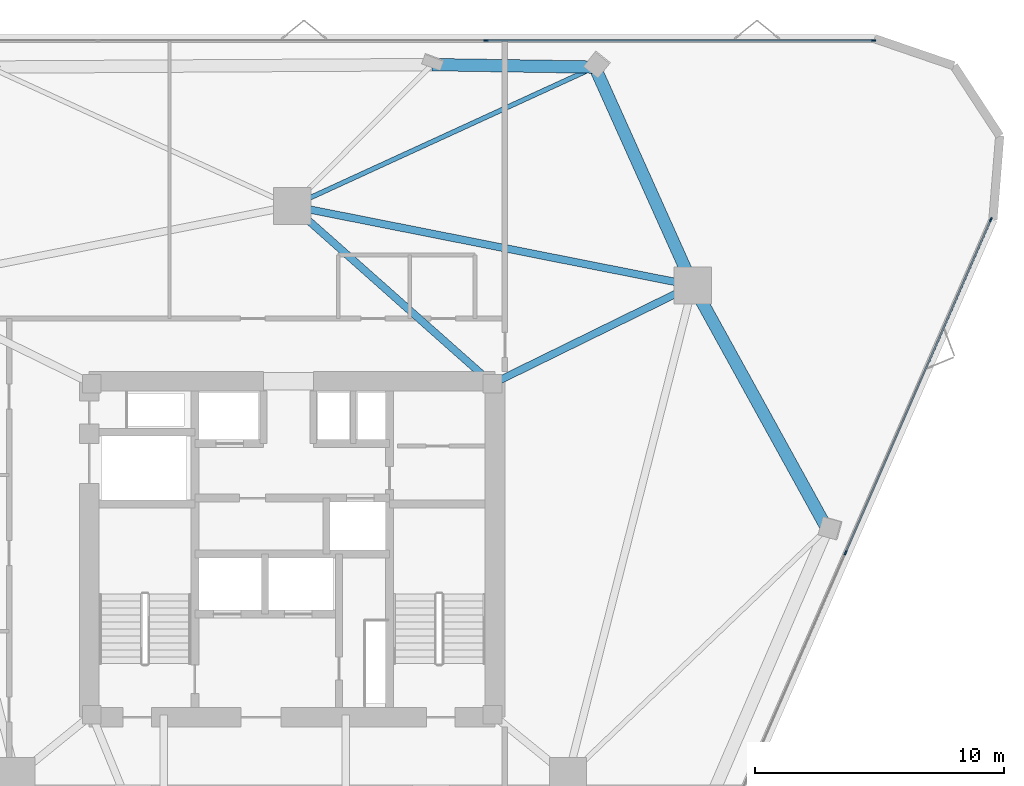
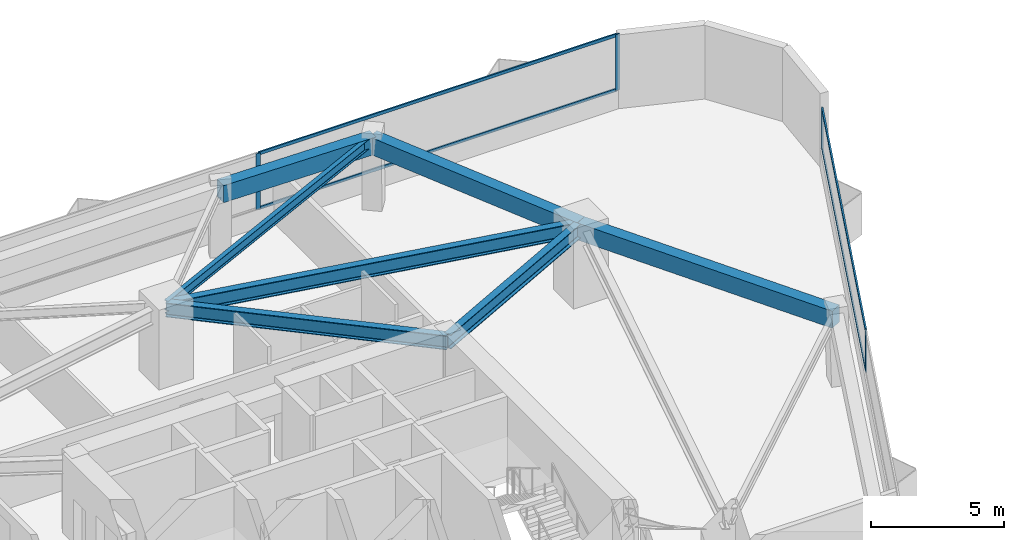
# One storey, part 7 of 13: 8 members, 7 beams, 2 elements without a shape of their own.
"""IFC4 building model written with IfcOpenShell, lengths in metres."""

from ifc_helpers import new_model, si_unit, direction, frame, origin, origin_2d, place, context, subcontext, project, spatial, rectangle, i_section, extrude, material, layer, layer_set, material_profile, profile_set, type_object, element, aggregate, save


model = new_model("IFC4")

# Units and contexts
model_context = context("Model", 3, precision=1e-05, world=origin(), true_north=direction((0.0, 1.0)))
body_context = subcontext(model_context, "Body", "Model", "MODEL_VIEW")
ifc_project = project(units=[si_unit("LENGTHUNIT", "METRE"), si_unit("AREAUNIT", "SQUARE_METRE"), si_unit("VOLUMEUNIT", "CUBIC_METRE"), si_unit("PLANEANGLEUNIT", "RADIAN"), si_unit("MASSUNIT", "GRAM", prefix="KILO")], contexts=[model_context])

# Site, building, storey
site_placement = place(None, origin())
site = spatial("IfcSite", under=ifc_project, at=site_placement, CompositionType="ELEMENT")
building_placement = place(site_placement, origin())
building = spatial("IfcBuilding", under=site, at=building_placement, Name="Talyreon Biosciences Tower", CompositionType="ELEMENT")
storey_placement = place(building_placement, frame((0.0, 0.0, 145.449951171875)))
storey = spatial("IfcBuildingStorey", under=building, at=storey_placement, Name="L38", CompositionType="ELEMENT", Elevation=145.449951171875)

# Curtain wall, members
ifc_material_1 = material(Name="Thermally broken aluminium and low-E glazing", Category="aluminium")
ifc_layer = layer(ifc_material_1, 0.18505859375)
ifc_layer_set = layer_set([ifc_layer], Name="Thermally broken aluminium and low-E glazing")
curtain_wall_type = type_object("IfcCurtainWallType", Name="CurtainWall_Zone3Bioprocess", PredefinedType="NOTDEFINED", material=ifc_layer_set)
curtain_wall_1_placement = place(storey_placement, origin())
curtain_wall_1 = element("IfcCurtainWall", 1, at=curtain_wall_1_placement, inside=storey, type_object=curtain_wall_type, Name="L38 Unitised Curtain Wall FCW-L38-04", PredefinedType="NOTDEFINED")
ifc_material_2 = material(Name="Anodised thermally broken aluminium", Category="aluminium")
ifc_material_profile_1 = material_profile(ifc_material_2, rectangle(XDim=0.06494140625, YDim=0.179931640625, at=origin_2d()), Name="ALUM MULLION 65x180")
ifc_profile_set_1 = profile_set([ifc_material_profile_1], Name="Anodised thermally broken aluminium")
member_type_1 = type_object("IfcMemberType", Name="CWMullion_65x180", PredefinedType="MULLION", material=ifc_profile_set_1)
member_1_placement = place(storey_placement, frame((73.79736328125, 88.439453125, 0.81005859375), z_axis=(0.0, 0.0, 1.0), x_axis=(0.0, 1.0, 0.0)))
member_1 = element("IfcMember", 2, at=member_1_placement, type_object=member_type_1, Name="CW4 mullion 3", PredefinedType="MULLION", context=body_context, shape_type="SweptSolid", body=[
    extrude(rectangle(XDim=0.06494140625, YDim=0.179931640625, at=origin_2d()), origin(), (0.0, 0.0, 1.0), 2.56494140625),
])
member_2_placement = place(storey_placement, frame((89.35986328125, 88.439453125, 0.81005859375), z_axis=(0.0, 0.0, 1.0), x_axis=(0.0, 1.0, 0.0)))
member_2 = element("IfcMember", 3, at=member_2_placement, type_object=member_type_1, Name="CW4 mullion 4", PredefinedType="MULLION", context=body_context, shape_type="SweptSolid", body=[
    extrude(rectangle(XDim=0.06494140625, YDim=0.179931640625, at=origin_2d()), origin(), (0.0, 0.0, 1.0), 2.56494140625),
])

curtain_wall_2_placement = place(storey_placement, origin())
curtain_wall_2 = element("IfcCurtainWall", 4, at=curtain_wall_2_placement, inside=storey, type_object=curtain_wall_type, Name="L38 Unitised Curtain Wall FCW-L38-08", PredefinedType="NOTDEFINED")
member_3_placement = place(storey_placement, frame((94.072509765625, 81.2431640625, 0.81005859375), z_axis=(0.0, 0.0, 1.0), x_axis=(0.916646882049, -0.399698003034, 0.0)))
member_3 = element("IfcMember", 5, at=member_3_placement, type_object=member_type_1, Name="CW4 mullion 1", PredefinedType="MULLION", context=body_context, shape_type="SweptSolid", body=[
    extrude(rectangle(XDim=0.06494140625, YDim=0.179931640625, at=origin_2d()), origin(), (0.0, 0.0, 1.0), 1.889892578125),
])
member_4_placement = place(storey_placement, frame((88.237548828125, 67.861328125, 0.81005859375), z_axis=(0.0, 0.0, 1.0), x_axis=(0.916646882049, -0.399698003034, 0.0)))
member_4 = element("IfcMember", 6, at=member_4_placement, type_object=member_type_1, Name="CW4 mullion 2", PredefinedType="MULLION", context=body_context, shape_type="SweptSolid", body=[
    extrude(rectangle(XDim=0.06494140625, YDim=0.179931640625, at=origin_2d()), origin(), (0.0, 0.0, 1.0), 1.889892578125),
])

# Member
ifc_material_profile_2 = material_profile(ifc_material_2, rectangle(XDim=0.06494140625, YDim=0.139892578125, at=origin_2d()), Name="ALUM TRANSOM 65x140")
ifc_profile_set_2 = profile_set([ifc_material_profile_2], Name="Anodised thermally broken aluminium")
member_type_2 = type_object("IfcMemberType", Name="CWTransom_65x140", PredefinedType="USERDEFINED", material=ifc_profile_set_2)
member_5_placement = place(storey_placement, frame((73.829833984375, 88.439453125, 0.842529296875), z_axis=(1.0, 0.0, 0.0), x_axis=(0.0, 1.0, 0.0)))
member_5 = element("IfcMember", 7, at=member_5_placement, type_object=member_type_2, Name="CW4 transom 3.1", ObjectType="TRANSOM", PredefinedType="USERDEFINED", context=body_context, shape_type="SweptSolid", body=[
    extrude(rectangle(XDim=0.06494140625, YDim=0.139892578125, at=origin_2d()), origin(), (0.0, 0.0, 1.0), 15.49755859375),
])

member_6_placement = place(storey_placement, frame((73.829833984375, 88.439453125, 3.342529296875), z_axis=(1.0, 0.0, 0.0), x_axis=(0.0, 1.0, 0.0)))
member_6 = element("IfcMember", 8, at=member_6_placement, type_object=member_type_2, Name="CW4 transom 3.2", ObjectType="TRANSOM", PredefinedType="USERDEFINED", context=body_context, shape_type="SweptSolid", body=[
    extrude(rectangle(XDim=0.06494140625, YDim=0.139892578125, at=origin_2d()), origin(), (0.0, 0.0, 1.0), 15.49755859375),
])

aggregate(curtain_wall_1, [member_1, member_2, member_5, member_6])

member_7_placement = place(storey_placement, frame((94.0595703125, 81.21337890625, 0.842529296875), z_axis=(-0.399697622423, -0.916647048012, 0.0), x_axis=(0.916647048012, -0.399697622423, 0.0)))
member_7 = element("IfcMember", 9, at=member_7_placement, type_object=member_type_2, Name="CW4 transom 1.1", ObjectType="TRANSOM", PredefinedType="USERDEFINED", context=body_context, shape_type="SweptSolid", body=[
    extrude(rectangle(XDim=0.06494140625, YDim=0.139892578125, at=origin_2d()), origin(), (0.0, 0.0, 1.0), 14.53369140625),
])

member_8_placement = place(storey_placement, frame((94.0595703125, 81.21337890625, 2.66748046875), z_axis=(-0.399697622423, -0.916647048012, 0.0), x_axis=(0.916647048012, -0.399697622423, 0.0)))
member_8 = element("IfcMember", 10, at=member_8_placement, type_object=member_type_2, Name="CW4 transom 1.2", ObjectType="TRANSOM", PredefinedType="USERDEFINED", context=body_context, shape_type="SweptSolid", body=[
    extrude(rectangle(XDim=0.06494140625, YDim=0.139892578125, at=origin_2d()), origin(), (0.0, 0.0, 1.0), 14.53369140625),
])

aggregate(curtain_wall_2, [member_3, member_4, member_7, member_8])

# Beams
ifc_material_3 = material(Name="Precast concrete C45/55", Category="concrete")
ifc_material_profile_3 = material_profile(ifc_material_3, rectangle(XDim=0.5, YDim=0.780029296875, at=origin_2d()), Name="RCB 500x780")
ifc_profile_set_3 = profile_set([ifc_material_profile_3], Name="Precast concrete C45/55")
beam_type_1 = type_object("IfcBeamType", Name="ExpressedSpandrel_500x780", PredefinedType="SPANDREL", material=ifc_profile_set_3)
beam_1_placement = place(storey_placement, frame((87.490478515625, 68.825439453125, 2.985107421875), z_axis=(-0.482807825933, 0.875726328951, 0.0), x_axis=(-0.875726328951, -0.482807825933, 0.0)))
element("IfcBeam", 11, at=beam_1_placement, inside=storey, type_object=beam_type_1, Name="L38 Expressed Horizontal Concrete Spandrel 04", PredefinedType="SPANDREL", context=body_context, shape_type="SweptSolid", body=[
    extrude(rectangle(XDim=0.5, YDim=0.780029296875, at=origin_2d()), origin(), (0.0, 0.0, 1.0), 11.16015625),
])
beam_2_placement = place(storey_placement, frame((82.102294921875, 78.5986328125, 2.985107421875), z_axis=(-0.409620161688, 0.912256171883, 0.0), x_axis=(-0.912256171883, -0.409620161688, 0.0)))
element("IfcBeam", 12, at=beam_2_placement, inside=storey, type_object=beam_type_1, Name="L38 Expressed Horizontal Concrete Spandrel 05", PredefinedType="SPANDREL", context=body_context, shape_type="SweptSolid", body=[
    extrude(rectangle(XDim=0.5, YDim=0.780029296875, at=origin_2d()), origin(), (0.0, 0.0, 1.0), 9.6142578125),
])
beam_3_placement = place(storey_placement, frame((78.1640625, 87.369384765625, 2.985107421875), z_axis=(-0.999883242428, 0.015280756277, 0.0), x_axis=(-0.015280756277, -0.999883242428, 0.0)))
element("IfcBeam", 13, at=beam_3_placement, inside=storey, type_object=beam_type_1, Name="L38 Expressed Horizontal Concrete Spandrel 06", PredefinedType="SPANDREL", context=body_context, shape_type="SweptSolid", body=[
    extrude(rectangle(XDim=0.5, YDim=0.780029296875, at=origin_2d()), origin(), (0.0, 0.0, 1.0), 6.550537109375),
])
ifc_material_4 = material(Name="Steel SM355", Category="steel")
ifc_material_profile_4 = material_profile(ifc_material_4, i_section(OverallWidth=0.300048828125, OverallDepth=0.64990234375, WebThickness=0.01611328125, FlangeThickness=0.031005859375, FilletRadius=0.027099609375, at=origin_2d()), Name="HE650B")
ifc_profile_set_4 = profile_set([ifc_material_profile_4], Name="Steel SM355")
beam_type_2 = type_object("IfcBeamType", Name="SteelBeam_HE650B", PredefinedType="BEAM", material=ifc_profile_set_4)
beam_4_placement = place(storey_placement, frame((82.102294921875, 78.5986328125, 3.050048828125), z_axis=(-0.980933730698, 0.194342522311, 0.0), x_axis=(-0.194342522311, -0.980933730698, 0.0)))
element("IfcBeam", 14, at=beam_4_placement, inside=storey, type_object=beam_type_2, Name="L38 Mega-Ring Girder 3", PredefinedType="BEAM", context=body_context, shape_type="SweptSolid", body=[
    extrude(i_section(OverallWidth=0.300048828125, OverallDepth=0.64990234375, WebThickness=0.01611328125, FlangeThickness=0.031005859375, FilletRadius=0.027099609375, at=origin_2d()), origin(), (0.0, 0.0, 1.0), 16.415283203125),
])
beam_5_placement = place(storey_placement, frame((74.050048828125, 74.64990234375, 3.050048828125), z_axis=(0.897852360314, 0.440296648952, 0.0), x_axis=(-0.440296648952, 0.897852360314, 0.0)))
element("IfcBeam", 15, at=beam_5_placement, inside=storey, type_object=beam_type_2, Name="L38 Radial Primary Girder 3", PredefinedType="BEAM", context=body_context, shape_type="SweptSolid", body=[
    extrude(i_section(OverallWidth=0.300048828125, OverallDepth=0.64990234375, WebThickness=0.01611328125, FlangeThickness=0.031005859375, FilletRadius=0.027099609375, at=origin_2d()), origin(), (0.0, 0.0, 1.0), 8.96826171875),
])
beam_6_placement = place(storey_placement, frame((74.050048828125, 74.64990234375, 3.050048828125), z_axis=(-0.748178733955, 0.663497235908, 0.0), x_axis=(-0.663497235908, -0.748178733955, 0.0)))
element("IfcBeam", 16, at=beam_6_placement, inside=storey, type_object=beam_type_2, Name="L38 Radial Primary Girder 4", PredefinedType="BEAM", context=body_context, shape_type="SweptSolid", body=[
    extrude(i_section(OverallWidth=0.300048828125, OverallDepth=0.64990234375, WebThickness=0.01611328125, FlangeThickness=0.031005859375, FilletRadius=0.027099609375, at=origin_2d()), origin(), (0.0, 0.0, 1.0), 10.759521484375),
])
ifc_material_profile_5 = material_profile(ifc_material_4, i_section(OverallWidth=0.18994140625, OverallDepth=0.449951171875, WebThickness=0.009521484375, FlangeThickness=0.0146484375, FilletRadius=0.02099609375, at=origin_2d()), Name="IPE450")
ifc_profile_set_5 = profile_set([ifc_material_profile_5], Name="Steel SM355")
beam_type_3 = type_object("IfcBeamType", Name="SteelJoist_IPE450", PredefinedType="JOIST", material=ifc_profile_set_5)
beam_7_placement = place(storey_placement, frame((66.0, 81.788818359375, 3.150146484375), z_axis=(0.908912750546, 0.416986344974, 0.0), x_axis=(-0.416986344974, 0.908912750546, 0.0)))
element("IfcBeam", 17, at=beam_7_placement, inside=storey, type_object=beam_type_3, Name="L38 Radial Composite Floor Joist PC-N1", PredefinedType="JOIST", context=body_context, shape_type="SweptSolid", body=[
    extrude(i_section(OverallWidth=0.18994140625, OverallDepth=0.449951171875, WebThickness=0.009521484375, FlangeThickness=0.0146484375, FilletRadius=0.02099609375, at=origin_2d()), origin(), (0.0, 0.0, 1.0), 13.383056640625),
])

save(model, "model.ifc")
